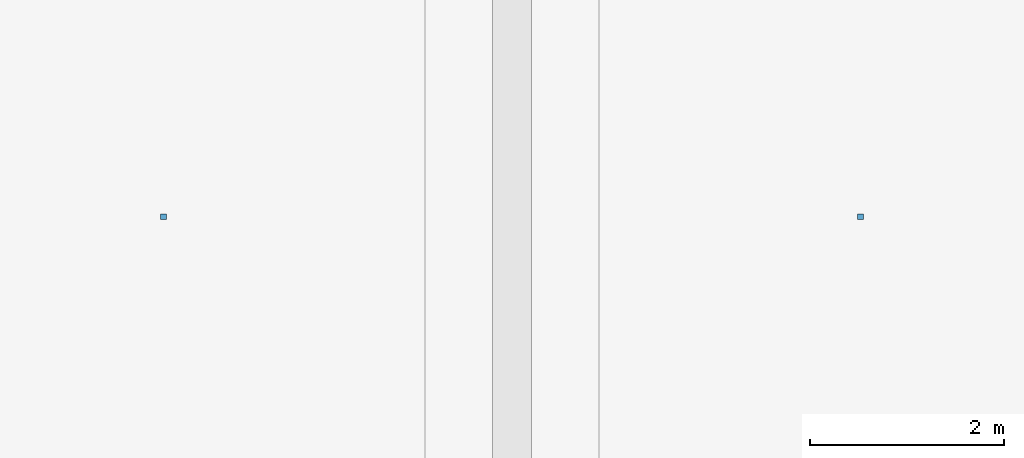
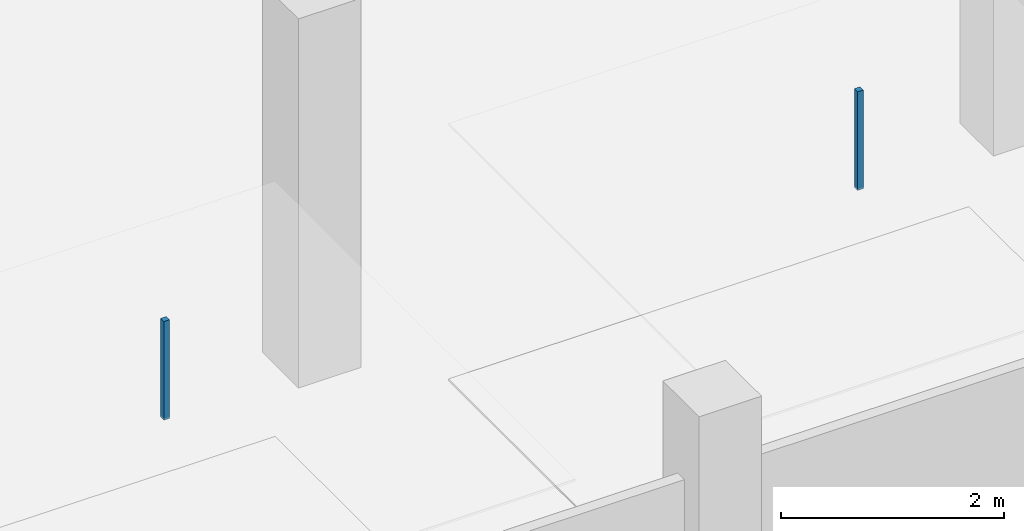
# One storey, part 93 of 107: 2 discrete accessories.
"""IFC4 building model written with IfcOpenShell, lengths in metres."""

from ifc_helpers import new_model, si_unit, direction, frame, origin, origin_2d, place, context, subcontext, project, spatial, rectangle, extrude, material, type_object, element, save


model = new_model("IFC4")

# Units and contexts
model_context = context("Model", 3, precision=1e-05, world=origin(), true_north=direction((0.0, 1.0)))
body_context = subcontext(model_context, "Body", "Model", "MODEL_VIEW")
ifc_project = project(units=[si_unit("LENGTHUNIT", "METRE"), si_unit("AREAUNIT", "SQUARE_METRE"), si_unit("VOLUMEUNIT", "CUBIC_METRE"), si_unit("PLANEANGLEUNIT", "RADIAN"), si_unit("MASSUNIT", "GRAM", prefix="KILO")], contexts=[model_context])

# Site, building, storey
site_placement = place(None, origin())
site = spatial("IfcSite", under=ifc_project, at=site_placement, CompositionType="ELEMENT")
building_placement = place(site_placement, origin())
building = spatial("IfcBuilding", under=site, at=building_placement, Name="Kangsadwip Square Police Headquarters", CompositionType="ELEMENT")
storey_placement = place(building_placement, frame((0.0, 0.0, 5.39990234375)))
storey = spatial("IfcBuildingStorey", under=building, at=storey_placement, Name="L01", CompositionType="ELEMENT", Elevation=5.39990234375)

# Discrete accessories
ifc_material = material(Name="Structural steel IS 2062 E350 (Grade 350, 350 MPa)", Category="steel")
discrete_accessory_type = type_object("IfcDiscreteAccessoryType", Name="VeilOutriggerBracket", PredefinedType="BRACKET", material=ifc_material)
for number, where, z_axis, x_axis, name in (
    (1, (25.199951171875, 104.39990234375, 2.81005859375), (0.0, 0.0, 1.0), (1.0, 0.0, 0.0), "Ceiling Suspension Hanger L01-037"),
    (2, (32.39990234375, 104.39990234375, 2.81005859375), (0.0, 0.0, 1.0), (1.0, 0.0, 0.0), "Ceiling Suspension Hanger L01-038"),
):
    element("IfcDiscreteAccessory", number, at=place(storey_placement, frame(where, z_axis=z_axis, x_axis=x_axis)), inside=storey, type_object=discrete_accessory_type, Name=name, PredefinedType="BRACKET", context=body_context, shape_type="SweptSolid", body=[
        extrude(rectangle(XDim=0.06005859375, YDim=0.06005859375, at=origin_2d()), origin(), (0.0, 0.0, 1.0), 1.080078125),
    ])

save(model, "model.ifc")
